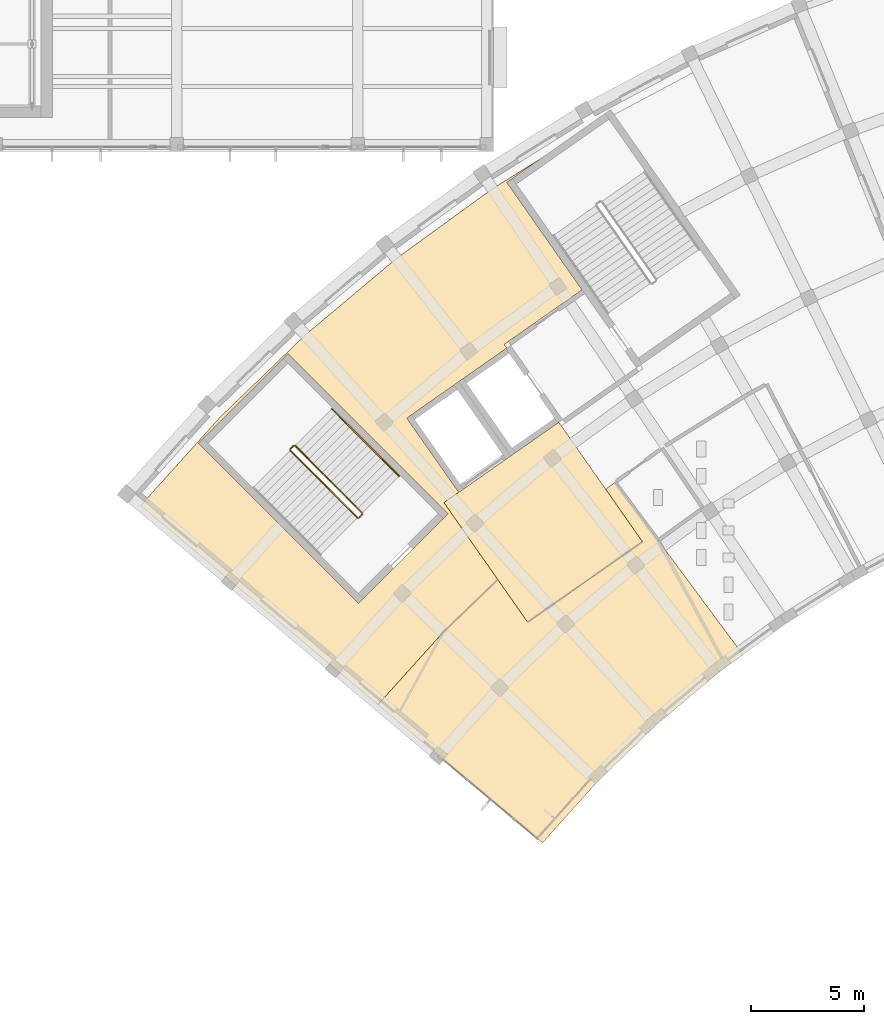
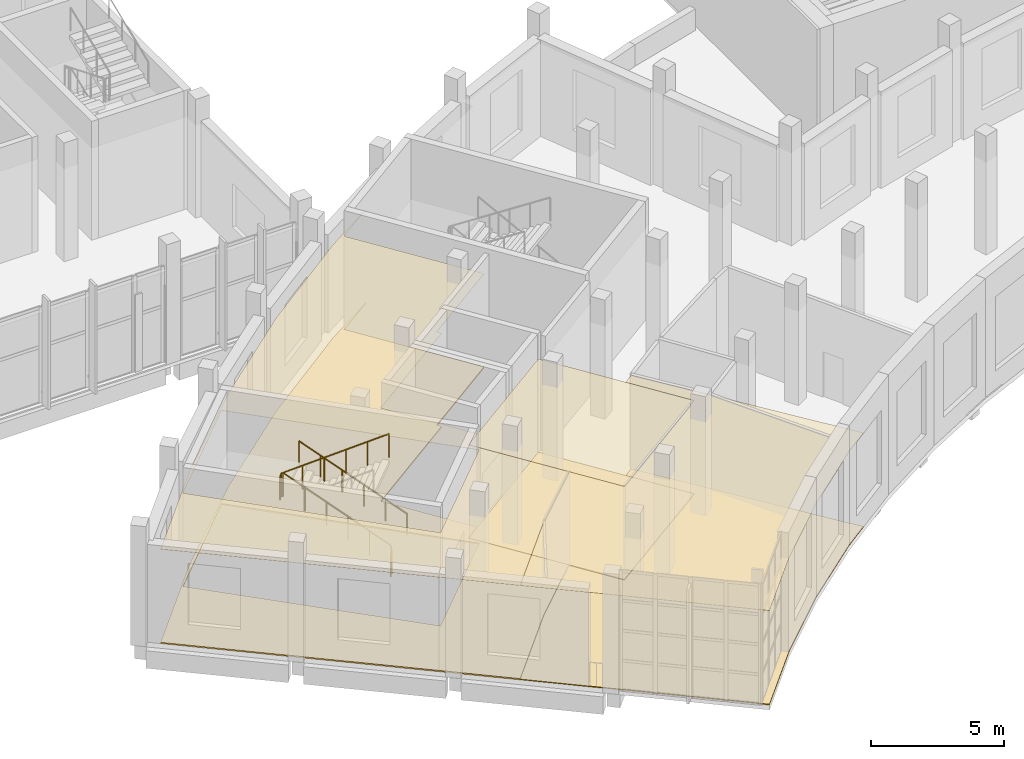
# One storey, part 104 of 132: 6 coverings, 5 railings.
"""IFC4 building model written with IfcOpenShell, lengths in metres."""

from ifc_helpers import new_model, si_unit, direction, frame, origin, origin_2d, place, context, subcontext, project, spatial, polyline, circle, outline, extrude, material, layer, layer_set, type_object, element, save


model = new_model("IFC4")

# Units and contexts
model_context = context("Model", 3, precision=1e-05, world=origin(), true_north=direction((0.0, 1.0)))
body_context = subcontext(model_context, "Body", "Model", "MODEL_VIEW")
ifc_project = project(units=[si_unit("LENGTHUNIT", "METRE"), si_unit("AREAUNIT", "SQUARE_METRE"), si_unit("VOLUMEUNIT", "CUBIC_METRE"), si_unit("PLANEANGLEUNIT", "RADIAN"), si_unit("MASSUNIT", "GRAM", prefix="KILO")], contexts=[model_context])

# Site, building, storey
site_placement = place(None, origin())
site = spatial("IfcSite", under=ifc_project, at=site_placement, CompositionType="ELEMENT")
building_placement = place(site_placement, origin())
building = spatial("IfcBuilding", under=site, at=building_placement, Name="Lunette Opera House", CompositionType="ELEMENT")
storey_placement = place(building_placement, frame((0.0, 0.0, 17.0)))
storey = spatial("IfcBuildingStorey", under=building, at=storey_placement, Name="L03", CompositionType="ELEMENT", Elevation=17.0)

# Railings
ifc_material_1 = material(Name="Steel S355", Category="steel")
railing_type_1 = type_object("IfcRailingType", Name="STAIR GUARD 1100", PredefinedType="GUARDRAIL", material=ifc_material_1)
railing_1_placement = place(storey_placement, frame((48.199951171875, 48.012451171875, 0.171875)))
element("IfcRailing", 1, at=railing_1_placement, inside=storey, type_object=railing_type_1, Name="L03 ST1 stair guard 1", PredefinedType="GUARDRAIL", context=body_context, shape_type="SweptSolid", body=[
    extrude(circle(Radius=0.02392578125, at=origin_2d()), frame((0.0, 0.0, 1.076171875), z_axis=(-0.602621891009, 0.602621891009, 0.523157445664), x_axis=(-0.707106781187, -0.707106781187, 0.0)), (0.0, 0.0, 1.0), 4.927978515625),
    extrude(circle(Radius=0.02099609375, at=origin_2d()), origin(), (0.0, 0.0, 1.0), 1.052001953125),
    extrude(circle(Radius=0.02099609375, at=origin_2d()), frame((-0.593994140625, 0.593994140625, 0.515625)), (0.0, 0.0, 1.0), 1.052001953125),
    extrude(circle(Radius=0.02099609375, at=origin_2d()), frame((-1.18798828125, 1.18798828125, 1.03125)), (0.0, 0.0, 1.0), 1.052001953125),
    extrude(circle(Radius=0.02099609375, at=origin_2d()), frame((-1.78173828125, 1.78173828125, 1.546875)), (0.0, 0.0, 1.0), 1.052001953125),
    extrude(circle(Radius=0.02099609375, at=origin_2d()), frame((-2.375732421875, 2.375732421875, 2.0625)), (0.0, 0.0, 1.0), 1.052001953125),
    extrude(circle(Radius=0.02099609375, at=origin_2d()), frame((-2.9697265625, 2.9697265625, 2.578125)), (0.0, 0.0, 1.0), 1.052001953125),
])
railing_2_placement = place(storey_placement, frame((45.159423828125, 50.982177734375, 2.75)))
element("IfcRailing", 2, at=railing_2_placement, inside=storey, type_object=railing_type_1, Name="L03 ST1 stair guard 2", PredefinedType="GUARDRAIL", context=body_context, shape_type="SweptSolid", body=[
    extrude(circle(Radius=0.02392578125, at=origin_2d()), frame((0.0, 0.0, 1.076171875), z_axis=(-0.707106781187, -0.707106781187, 0.0), x_axis=(0.707106781187, -0.707106781187, 0.0)), (0.0, 0.0, 1.0), 0.2001953125),
    extrude(circle(Radius=0.02099609375, at=origin_2d()), origin(), (0.0, 0.0, 1.0), 1.052001953125),
    extrude(circle(Radius=0.02099609375, at=origin_2d()), frame((-0.1416015625, -0.1416015625, 0.0)), (0.0, 0.0, 1.0), 1.052001953125),
])
railing_3_placement = place(storey_placement, frame((45.017822265625, 50.769775390625, 2.921875)))
element("IfcRailing", 3, at=railing_3_placement, inside=storey, type_object=railing_type_1, Name="L03 ST1 stair guard 3", PredefinedType="GUARDRAIL", context=body_context, shape_type="SweptSolid", body=[
    extrude(circle(Radius=0.02392578125, at=origin_2d()), frame((0.0, 0.0, 1.076171875), z_axis=(0.602621891009, -0.602621891009, 0.523157445664), x_axis=(0.707106781187, 0.707106781187, 0.0)), (0.0, 0.0, 1.0), 4.927978515625),
    extrude(circle(Radius=0.02099609375, at=origin_2d()), origin(), (0.0, 0.0, 1.0), 1.052001953125),
    extrude(circle(Radius=0.02099609375, at=origin_2d()), frame((0.593994140625, -0.593994140625, 0.515625)), (0.0, 0.0, 1.0), 1.052001953125),
    extrude(circle(Radius=0.02099609375, at=origin_2d()), frame((1.18798828125, -1.18798828125, 1.03125)), (0.0, 0.0, 1.0), 1.052001953125),
    extrude(circle(Radius=0.02099609375, at=origin_2d()), frame((1.78173828125, -1.78173828125, 1.546875)), (0.0, 0.0, 1.0), 1.052001953125),
    extrude(circle(Radius=0.02099609375, at=origin_2d()), frame((2.375732421875, -2.375732421875, 2.0625)), (0.0, 0.0, 1.0), 1.052001953125),
    extrude(circle(Radius=0.02099609375, at=origin_2d()), frame((2.9697265625, -2.9697265625, 2.578125)), (0.0, 0.0, 1.0), 1.052001953125),
])
railing_4_placement = place(storey_placement, frame((48.199951171875, 47.941650390625, 0.0)))
element("IfcRailing", 4, at=railing_4_placement, inside=storey, type_object=railing_type_1, Name="L03 ST1 stair guard 4", PredefinedType="GUARDRAIL", context=body_context, shape_type="SweptSolid", body=[
    extrude(circle(Radius=0.02392578125, at=origin_2d()), frame((0.0, 0.0, 1.076171875), z_axis=(-0.707106781187, -0.707106781187, 0.0), x_axis=(0.707106781187, -0.707106781187, 0.0)), (0.0, 0.0, 1.0), 0.2001953125),
    extrude(circle(Radius=0.02099609375, at=origin_2d()), origin(), (0.0, 0.0, 1.0), 1.052001953125),
    extrude(circle(Radius=0.02099609375, at=origin_2d()), frame((-0.1416015625, -0.1416015625, 0.0)), (0.0, 0.0, 1.0), 1.052001953125),
])
ifc_material_2 = material(Name="Steel S355", Category="steel")
railing_type_2 = type_object("IfcRailingType", Name="STAIR HANDRAIL 1000", PredefinedType="HANDRAIL", material=ifc_material_2)
railing_5_placement = place(storey_placement, frame((49.826416015625, 49.638671875, 0.171875)))
element("IfcRailing", 5, at=railing_5_placement, inside=storey, type_object=railing_type_2, Name="L03 ST1 stair handrail 1", PredefinedType="HANDRAIL", context=body_context, shape_type="SweptSolid", body=[
    extrude(circle(Radius=0.02392578125, at=origin_2d()), frame((0.0, 0.0, 0.97607421875), z_axis=(-0.602635448971, 0.602635448971, 0.523126209711), x_axis=(-0.707106781187, -0.707106781187, 0.0)), (0.0, 0.0, 1.0), 4.92822265625),
    extrude(circle(Radius=0.02099609375, at=origin_2d()), origin(), (0.0, 0.0, 1.0), 0.951904296875),
    extrude(circle(Radius=0.02099609375, at=origin_2d()), frame((-0.593994140625, 0.593994140625, 0.515625)), (0.0, 0.0, 1.0), 0.951904296875),
    extrude(circle(Radius=0.02099609375, at=origin_2d()), frame((-1.18798828125, 1.18798828125, 1.03125)), (0.0, 0.0, 1.0), 0.951904296875),
    extrude(circle(Radius=0.02099609375, at=origin_2d()), frame((-1.781982421875, 1.781982421875, 1.546875)), (0.0, 0.0, 1.0), 0.951904296875),
    extrude(circle(Radius=0.02099609375, at=origin_2d()), frame((-2.3759765625, 2.3759765625, 2.0625)), (0.0, 0.0, 1.0), 0.951904296875),
    extrude(circle(Radius=0.02099609375, at=origin_2d()), frame((-2.969970703125, 2.969970703125, 2.578125)), (0.0, 0.0, 1.0), 0.951904296875),
])

# Coverings
ifc_material_3 = material(Name="Mineral fibre board")
ifc_layer_1 = layer(ifc_material_3, 0.014892578125)
ifc_layer_set_1 = layer_set([ifc_layer_1], Name="Mineral fibre board")
covering_type_1 = type_object("IfcCoveringType", Name="SUSPENDED ACOUSTIC CEILING 15", PredefinedType="CEILING", material=ifc_layer_set_1)
covering_1_placement = place(storey_placement, frame((0.0, 0.0, 4.31494140625)))
element("IfcCovering", 6, at=covering_1_placement, inside=storey, type_object=covering_type_1, Name="Ceiling Open Lift Lobby L03 West", PredefinedType="CEILING", context=body_context, shape_type="SweptSolid", body=[
    extrude(outline(polyline([(60.5859375, 46.739990234375), (56.886962890625, 52.02392578125), (51.80810546875, 48.468017578125), (55.508056640625, 43.18408203125), (60.5859375, 46.739990234375)])), origin(), (0.0, 0.0, 1.0), 0.01513671875),
])
covering_2_placement = place(storey_placement, frame((0.0, 0.0, 4.31494140625)))
element("IfcCovering", 7, at=covering_2_placement, inside=storey, type_object=covering_type_1, Name="Ceiling Sponsors' Room", PredefinedType="CEILING", context=body_context, shape_type="SweptSolid", body=[
    extrude(outline(polyline([(61.205078125, 38.64404296875), (58.593994140625, 36.1220703125), (57.85498046875, 35.302001953125), (56.166015625, 33.425048828125), (52.8359375, 36.218994140625), (48.887939453125, 39.531005859375), (51.760986328125, 42.720947265625), (54.18896484375, 45.06689453125), (55.508056640625, 43.18408203125), (60.5859375, 46.739990234375), (58.9609375, 49.06103515625), (59.3779296875, 49.364990234375), (65.034912109375, 41.739013671875), (63.986083984375, 40.97705078125), (61.205078125, 38.64404296875)])), origin(), (0.0, 0.0, 1.0), 0.01513671875),
])
covering_3_placement = place(storey_placement, frame((0.0, 0.0, 4.31494140625)))
element("IfcCovering", 8, at=covering_3_placement, inside=storey, type_object=covering_type_1, Name="Ceiling Second Tier Foyer Rear", PredefinedType="CEILING", context=body_context, shape_type="SweptSolid", body=[
    extrude(outline(polyline([(51.80810546875, 48.468017578125), (54.18896484375, 45.06689453125), (51.760986328125, 42.720947265625), (48.887939453125, 39.531005859375), (46.972900390625, 41.137939453125), (38.39404296875, 48.337890625), (41.906005859375, 52.238037109375), (45.680908203125, 55.884033203125), (49.701904296875, 59.258056640625), (53.948974609375, 62.343994140625), (56.18603515625, 63.741943359375), (54.591064453125, 62.625), (57.91796875, 57.8740234375), (54.47705078125, 55.464111328125), (54.592041015625, 55.300048828125), (52.462890625, 53.80908203125), (50.1689453125, 52.202880859375), (52.462890625, 48.927001953125), (51.80810546875, 48.468017578125)]), holes=[polyline([(48.02294921875, 44.01708984375), (51.98291015625, 47.97705078125), (44.912109375, 55.048095703125), (40.951904296875, 51.087890625), (48.02294921875, 44.01708984375)])]), origin(), (0.0, 0.0, 1.0), 0.01513671875),
])
ifc_material_4 = material(Name="Terrazzo")
ifc_layer_2 = layer(ifc_material_4, 0.06005859375)
ifc_layer_set_2 = layer_set([ifc_layer_2], Name="Terrazzo")
covering_type_2 = type_object("IfcCoveringType", Name="TERRAZZO FLOOR FINISH 60", PredefinedType="FLOORING", material=ifc_layer_set_2)
covering_4_placement = place(storey_placement, origin())
element("IfcCovering", 9, at=covering_4_placement, inside=storey, type_object=covering_type_2, Name="Floor finish Open Lift Lobby L03 West", PredefinedType="FLOORING", context=body_context, shape_type="SweptSolid", body=[
    extrude(outline(polyline([(60.5859375, 46.739990234375), (56.886962890625, 52.02392578125), (51.80810546875, 48.468017578125), (55.508056640625, 43.18408203125), (60.5859375, 46.739990234375)])), origin(), (0.0, 0.0, 1.0), 0.06005859375),
])
covering_5_placement = place(storey_placement, origin())
element("IfcCovering", 10, at=covering_5_placement, inside=storey, type_object=covering_type_2, Name="Floor finish Second Tier Foyer Rear", PredefinedType="FLOORING", context=body_context, shape_type="SweptSolid", body=[
    extrude(outline(polyline([(51.80810546875, 48.468017578125), (54.18896484375, 45.06689453125), (51.760986328125, 42.720947265625), (48.887939453125, 39.531005859375), (46.972900390625, 41.137939453125), (38.39404296875, 48.337890625), (41.906005859375, 52.238037109375), (45.680908203125, 55.884033203125), (49.701904296875, 59.258056640625), (53.948974609375, 62.343994140625), (56.18603515625, 63.741943359375), (54.591064453125, 62.625), (57.91796875, 57.8740234375), (54.47705078125, 55.464111328125), (54.592041015625, 55.300048828125), (52.462890625, 53.80908203125), (50.1689453125, 52.202880859375), (52.462890625, 48.927001953125), (51.80810546875, 48.468017578125)]), holes=[polyline([(48.02294921875, 44.01708984375), (51.98291015625, 47.97705078125), (44.912109375, 55.048095703125), (40.951904296875, 51.087890625), (48.02294921875, 44.01708984375)])]), origin(), (0.0, 0.0, 1.0), 0.06005859375),
])
ifc_material_5 = material(Name="Timber", Category="wood")
ifc_layer_3 = layer(ifc_material_5, 0.0400390625)
ifc_layer_set_3 = layer_set([ifc_layer_3], Name="Timber")
covering_type_3 = type_object("IfcCoveringType", Name="TIMBER FLOOR FINISH 40", PredefinedType="FLOORING", material=ifc_layer_set_3)
covering_6_placement = place(storey_placement, origin())
element("IfcCovering", 11, at=covering_6_placement, inside=storey, type_object=covering_type_3, Name="Floor finish Sponsors' Room", PredefinedType="FLOORING", context=body_context, shape_type="SweptSolid", body=[
    extrude(outline(polyline([(61.205078125, 38.64404296875), (58.593994140625, 36.1220703125), (57.85498046875, 35.302001953125), (56.166015625, 33.425048828125), (52.8359375, 36.218994140625), (48.887939453125, 39.531005859375), (51.760986328125, 42.720947265625), (54.18896484375, 45.06689453125), (55.508056640625, 43.18408203125), (60.5859375, 46.739990234375), (58.9609375, 49.06103515625), (59.3779296875, 49.364990234375), (65.034912109375, 41.739013671875), (63.986083984375, 40.97705078125), (61.205078125, 38.64404296875)])), origin(), (0.0, 0.0, 1.0), 0.0400390625),
])

save(model, "model.ifc")
